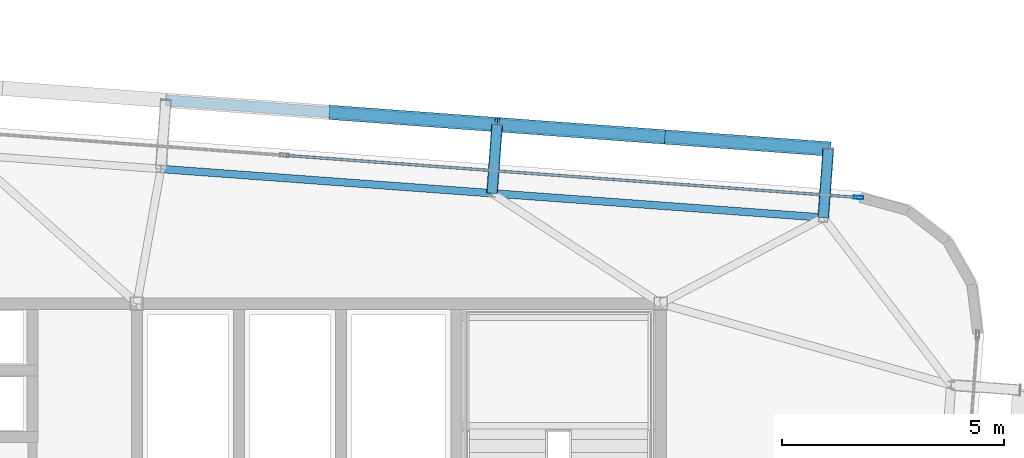
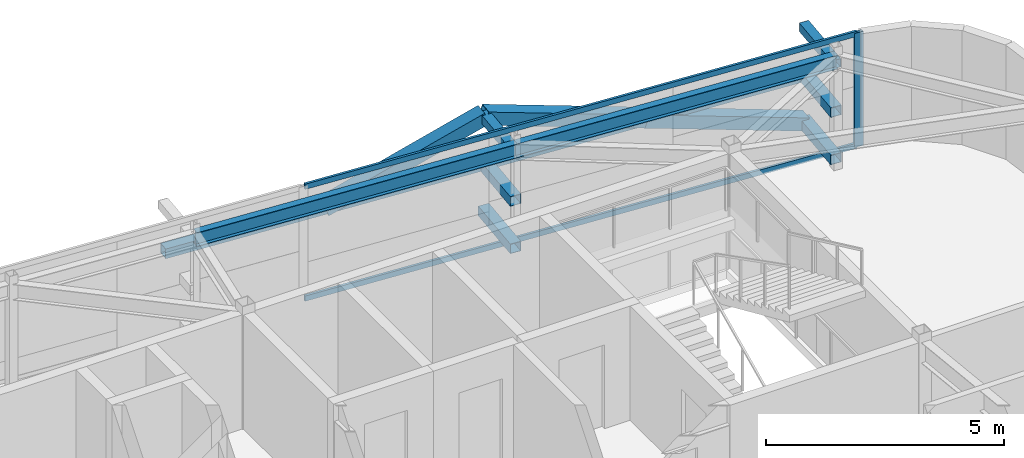
# One storey, part 22 of 34: 14 members, 2 beams, 1 element without a shape of its own.
"""IFC4 building model written with IfcOpenShell, lengths in metres."""

from ifc_helpers import new_model, si_unit, direction, frame, origin, origin_2d, place, context, subcontext, project, spatial, hollow_rectangle, i_section, extrude, source, transform, mapped, material, layer, layer_set, material_profile, profile_set, type_object, element, aggregate, save


model = new_model("IFC4")

# Units and contexts
model_context = context("Model", 3, precision=1e-05, world=origin(), true_north=direction((0.0, 1.0)))
body_context = subcontext(model_context, "Body", "Model", "MODEL_VIEW")
ifc_project = project(units=[si_unit("LENGTHUNIT", "METRE"), si_unit("AREAUNIT", "SQUARE_METRE"), si_unit("VOLUMEUNIT", "CUBIC_METRE"), si_unit("PLANEANGLEUNIT", "RADIAN"), si_unit("MASSUNIT", "GRAM", prefix="KILO")], contexts=[model_context])

# Site, building, storey
site_placement = place(None, origin())
site = spatial("IfcSite", under=ifc_project, at=site_placement, CompositionType="ELEMENT")
building_placement = place(site_placement, origin())
building = spatial("IfcBuilding", under=site, at=building_placement, Name="Taldren Reach Tower", CompositionType="ELEMENT")
storey_placement = place(building_placement, frame((0.0, 0.0, 246.050048828125)))
storey = spatial("IfcBuildingStorey", under=building, at=storey_placement, Name="L75", CompositionType="ELEMENT", Elevation=246.050048828125)

# Members
ifc_material_1 = material(Name="Steel Gr 350 (C350L0)", Category="steel")
ifc_material_profile_1 = material_profile(ifc_material_1, hollow_rectangle(XDim=0.25, YDim=0.25, WallThickness=0.010009765625, at=origin_2d()), Name="250x250x10.0SHS")
ifc_profile_set_1 = profile_set([ifc_material_profile_1], Name="Steel Gr 350 (C350L0)")
member_type_1 = type_object("IfcMemberType", Name="MB-POST250", PredefinedType="POST", material=ifc_profile_set_1)
shared_shape_1 = source(origin(), body_context, "Body", "SweptSolid", [
    extrude(hollow_rectangle(XDim=0.25, YDim=0.25, WallThickness=0.010009765625, at=origin_2d()), origin(), (0.0, 0.0, 1.0), 1.550048828125),
])
for number, where, z_axis, x_axis, name in (
    (1, (47.199462890625, 34.487548828125, 0.219970703125), (0.07323929162, 0.997314396849, 0.0), (-0.997314396849, 0.07323929162, 0.0), "Exoskeleton base diaphragm tie strut B5-N5 L75"),
    (2, (54.659423828125, 33.939697265625, 0.219970703125), (0.07323929162, 0.997314396849, 0.0), (-0.997314396849, 0.07323929162, 0.0), "Exoskeleton base diaphragm tie strut B5-N6 L75"),
    (3, (47.199462890625, 34.487548828125, 1.43505859375), (0.07323929162, 0.997314396849, 0.0), (-0.997314396849, 0.07323929162, 0.0), "Exoskeleton mid-tier diaphragm tie B5-N5 L75"),
    (4, (54.659423828125, 33.939697265625, 1.43505859375), (0.07323929162, 0.997314396849, 0.0), (-0.997314396849, 0.07323929162, 0.0), "Exoskeleton mid-tier diaphragm tie B5-N6 L75"),
):
    element("IfcMember", number, at=place(storey_placement, frame(where, z_axis=z_axis, x_axis=x_axis)), inside=storey, type_object=member_type_1, Name=name, PredefinedType="POST", context=body_context, shape_type="MappedRepresentation", body=[
        mapped(shared_shape_1, transform((0.0, 0.0, 0.0), scale=1.0)),
    ])
ifc_material_2 = material(Name="Steel Gr 450 (C450L0)", Category="steel")
ifc_material_profile_2 = material_profile(ifc_material_2, hollow_rectangle(XDim=0.219970703125, YDim=0.219970703125, WallThickness=0.00830078125, at=origin_2d()), Name="220x220x8.2SHS")
ifc_profile_set_2 = profile_set([ifc_material_profile_2], Name="Steel Gr 450 (C450L0)")
member_type_2 = type_object("IfcMemberType", Name="MB-TIE219", PredefinedType="STRUT", material=ifc_profile_set_2)
shared_shape_2 = source(origin(), body_context, "Body", "SweptSolid", [
    extrude(hollow_rectangle(XDim=0.219970703125, YDim=0.219970703125, WallThickness=0.00830078125, at=origin_2d()), origin(), (0.0, 0.0, 1.0), 1.550048828125),
])
for number, where, z_axis, x_axis, name in (
    (5, (47.199462890625, 34.487548828125, 2.64990234375), (0.07323929162, 0.997314396849, 0.0), (-0.997314396849, 0.07323929162, 0.0), "Exoskeleton diaphragm tie strut B5-N5 L75"),
    (6, (54.659423828125, 33.939697265625, 2.64990234375), (0.07323929162, 0.997314396849, 0.0), (-0.997314396849, 0.07323929162, 0.0), "Exoskeleton diaphragm tie strut B5-N6 L75"),
):
    element("IfcMember", number, at=place(storey_placement, frame(where, z_axis=z_axis, x_axis=x_axis)), inside=storey, type_object=member_type_2, Name=name, PredefinedType="STRUT", context=body_context, shape_type="MappedRepresentation", body=[
        mapped(shared_shape_2, transform((0.0, 0.0, 0.0), scale=1.0)),
    ])

# Beams
ifc_material_3 = material(Name="Steel Gr 350 (350PLUS)", Category="steel")
ifc_material_profile_3 = material_profile(ifc_material_3, i_section(OverallWidth=0.172119140625, OverallDepth=0.35888671875, WebThickness=0.008056640625, FlangeThickness=0.012939453125, at=origin_2d()), Name="360UB56.7")
ifc_profile_set_3 = profile_set([ifc_material_profile_3], Name="Steel Gr 350 (350PLUS)")
beam_type = type_object("IfcBeamType", Name="SP-UB360", PredefinedType="SPANDREL", material=ifc_profile_set_3)
shared_shape_3 = source(origin(), body_context, "Body", "SweptSolid", [
    extrude(i_section(OverallWidth=0.172119140625, OverallDepth=0.35888671875, WebThickness=0.008056640625, FlangeThickness=0.012939453125, at=origin_2d()), origin(), (0.0, 0.0, 1.0), 7.47998046875),
])
for number, where, z_axis, x_axis, name in (
    (7, (54.659423828125, 33.939697265625, 2.75048828125), (-0.997314220642, 0.07324169103, 0.0), (-0.07324169103, -0.997314220642, 0.0), "Perimeter spandrel B5 N6-N5 L75"),
    (8, (47.199462890625, 34.487548828125, 2.75048828125), (-0.997314220642, 0.07324169103, 0.0), (-0.07324169103, -0.997314220642, 0.0), "Perimeter spandrel B5 N5-N4 L75"),
):
    element("IfcBeam", number, at=place(storey_placement, frame(where, z_axis=z_axis, x_axis=x_axis)), inside=storey, type_object=beam_type, Name=name, PredefinedType="SPANDREL", context=body_context, shape_type="MappedRepresentation", body=[
        mapped(shared_shape_3, transform((0.0, 0.0, 0.0), scale=1.0)),
    ])

# Members
ifc_material_profile_4 = material_profile(ifc_material_2, hollow_rectangle(XDim=0.324951171875, YDim=0.324951171875, WallThickness=0.0126953125, at=origin_2d()), Name="325x325x12.7SHS")
ifc_profile_set_4 = profile_set([ifc_material_profile_4], Name="Steel Gr 450 (C450L0)")
member_type_3 = type_object("IfcMemberType", Name="MB-BR324", PredefinedType="BRACE", material=ifc_profile_set_4)
shared_shape_4 = source(origin(), body_context, "Body", "SweptSolid", [
    extrude(hollow_rectangle(XDim=0.324951171875, YDim=0.324951171875, WallThickness=0.0126953125, at=origin_2d()), origin(), (0.0, 0.0, 1.0), 3.932373046875),
])
for number, where, z_axis, x_axis, name in (
    (9, (43.5830078125, 36.307373046875, 1.43505859375), (0.948529326954, -0.06965898055, 0.308933232813), (0.07324169103, 0.997314220642, 0.0), "Exoskeleton Diagrid Brace B5-N4 L75"),
    (10, (54.77294921875, 35.485595703125, 0.219970703125), (-0.948511132845, 0.069657644394, 0.308989390507), (-0.07324169103, -0.997314220642, 0.0), "Exoskeleton Diagrid Brace B5-N5 L75"),
    (11, (51.04296875, 35.759521484375, 1.43505859375), (-0.948529326954, 0.06965898055, 0.308933232813), (-0.07324169103, -0.997314220642, 0.0), "Exoskeleton Diagrid Brace B5-N5 L75"),
):
    element("IfcMember", number, at=place(storey_placement, frame(where, z_axis=z_axis, x_axis=x_axis)), inside=storey, type_object=member_type_3, Name=name, PredefinedType="BRACE", context=body_context, shape_type="MappedRepresentation", body=[
        mapped(shared_shape_4, transform((0.0, 0.0, 0.0), scale=1.0)),
    ])
shared_shape_5 = source(origin(), body_context, "Body", "SweptSolid", [
    extrude(hollow_rectangle(XDim=0.25, YDim=0.25, WallThickness=0.010009765625, at=origin_2d()), origin(), (0.0, 0.0, 1.0), 7.47998046875),
])
for number, where, z_axis, x_axis, name in (
    (12, (39.85302734375, 36.581298828125, 1.43505859375), (0.997314220642, -0.07324169103, 0.0), (0.07324169103, 0.997314220642, 0.0), "Exoskeleton mid-height ring chord B5-N4 L75"),
    (13, (47.31298828125, 36.033447265625, 1.43505859375), (0.997314220642, -0.07324169103, 0.0), (0.07324169103, 0.997314220642, 0.0), "Exoskeleton mid-height ring chord B5-N5 L75"),
):
    element("IfcMember", number, at=place(storey_placement, frame(where, z_axis=z_axis, x_axis=x_axis)), inside=storey, type_object=member_type_1, Name=name, PredefinedType="POST", context=body_context, shape_type="MappedRepresentation", body=[
        mapped(shared_shape_5, transform((0.0, 0.0, 0.0), scale=1.0)),
    ])

# Curtain wall, members
ifc_material_4 = material(Name="Aluminium and Low-E Glass Unitised System", Category="aluminium")
ifc_layer = layer(ifc_material_4, 0.159912109375)
ifc_layer_set = layer_set([ifc_layer], Name="Aluminium and Low-E Glass Unitised System")
curtain_wall_type = type_object("IfcCurtainWallType", Name="CW-SYS-6", PredefinedType="NOTDEFINED", material=ifc_layer_set)
curtain_wall_placement = place(storey_placement, origin())
curtain_wall = element("IfcCurtainWall", 14, at=curtain_wall_placement, inside=storey, type_object=curtain_wall_type, Name="Unitised curtain wall CW-L75-N", PredefinedType="NOTDEFINED")
ifc_material_5 = material(Name="Anodised Aluminium 6063-T6", Category="aluminium")
ifc_material_profile_5 = material_profile(ifc_material_5, hollow_rectangle(XDim=0.06005859375, YDim=0.135009765625, WallThickness=0.00341796875, at=origin_2d()), Name="ALU-135x60x3.5RHS")
ifc_profile_set_5 = profile_set([ifc_material_profile_5], Name="Anodised Aluminium 6063-T6")
member_type_4 = type_object("IfcMemberType", Name="CW-TRN-150", PredefinedType="USERDEFINED", material=ifc_profile_set_5)
shared_shape_6 = source(origin(), body_context, "Body", "SweptSolid", [
    extrude(hollow_rectangle(XDim=0.06005859375, YDim=0.135009765625, WallThickness=0.00341796875, at=origin_2d()), origin(), (0.0, 0.0, 1.0), 12.887451171875),
])
member_1_placement = place(storey_placement, frame((55.419677734375, 34.395263671875, 0.030029296875), z_axis=(-0.997314487101, 0.07323806263, 0.0), x_axis=(-0.07323806263, -0.997314487101, 0.0)))
member_1 = element("IfcMember", 15, at=member_1_placement, type_object=member_type_4, Name="CW-6 transom 1.1", ObjectType="TRANSOM", PredefinedType="USERDEFINED", context=body_context, shape_type="MappedRepresentation", body=[
    mapped(shared_shape_6, transform((0.0, 0.0, 0.0), scale=1.0)),
])
member_2_placement = place(storey_placement, frame((55.419677734375, 34.395263671875, 2.89990234375), z_axis=(-0.997314487101, 0.07323806263, 0.0), x_axis=(-0.07323806263, -0.997314487101, 0.0)))
member_2 = element("IfcMember", 16, at=member_2_placement, type_object=member_type_4, Name="CW-6 transom 1.2", ObjectType="TRANSOM", PredefinedType="USERDEFINED", context=body_context, shape_type="MappedRepresentation", body=[
    mapped(shared_shape_6, transform((0.0, 0.0, 0.0), scale=1.0)),
])
ifc_material_profile_6 = material_profile(ifc_material_5, hollow_rectangle(XDim=0.074951171875, YDim=0.2099609375, WallThickness=0.00439453125, at=origin_2d()), Name="ALU-210x75x4.5RHS")
ifc_profile_set_6 = profile_set([ifc_material_profile_6], Name="Anodised Aluminium 6063-T6")
member_type_5 = type_object("IfcMemberType", Name="CW-MUL-200", PredefinedType="MULLION", material=ifc_profile_set_6)
shared_shape_7 = source(origin(), body_context, "Body", "SweptSolid", [
    extrude(hollow_rectangle(XDim=0.074951171875, YDim=0.2099609375, WallThickness=0.00439453125, at=origin_2d()), origin(), (0.0, 0.0, 1.0), 2.929931640625),
])
member_3_placement = place(storey_placement, frame((55.45703125, 34.392578125, 0.0), z_axis=(0.0, 0.0, 1.0), x_axis=(-0.073238213716, -0.997314476006, 0.0)))
member_3 = element("IfcMember", 17, at=member_3_placement, type_object=member_type_5, Name="CW-6 mullion 1", PredefinedType="MULLION", context=body_context, shape_type="MappedRepresentation", body=[
    mapped(shared_shape_7, transform((0.0, 0.0, 0.0), scale=1.0)),
])
aggregate(curtain_wall, [member_3, member_1, member_2])

save(model, "model.ifc")
